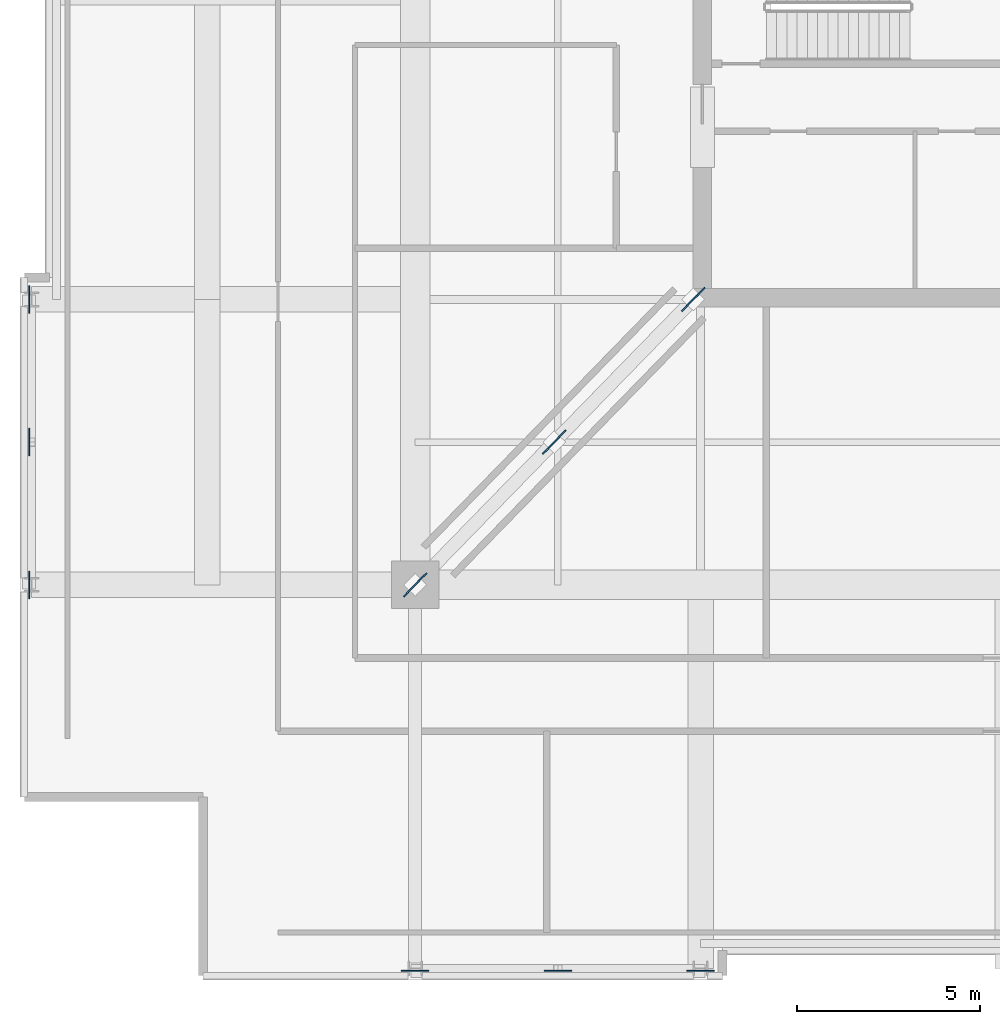
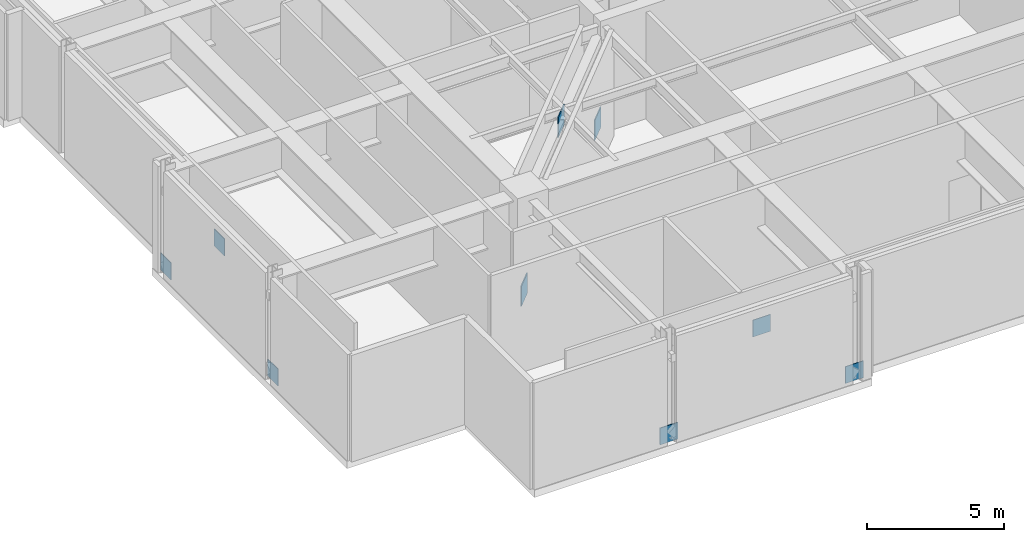
# One storey, part 3 of 13: 9 plates.
"""IFC4 building model written with IfcOpenShell, lengths in metres."""

from ifc_helpers import new_model, si_unit, direction, frame, origin, origin_2d, place, context, subcontext, project, spatial, rectangle, extrude, material, layer, layer_set, type_object, element, save


model = new_model("IFC4")

# Units and contexts
model_context = context("Model", 3, precision=1e-05, world=origin(), true_north=direction((0.0, 1.0)))
body_context = subcontext(model_context, "Body", "Model", "MODEL_VIEW")
ifc_project = project(units=[si_unit("LENGTHUNIT", "METRE"), si_unit("AREAUNIT", "SQUARE_METRE"), si_unit("VOLUMEUNIT", "CUBIC_METRE"), si_unit("PLANEANGLEUNIT", "RADIAN"), si_unit("MASSUNIT", "GRAM", prefix="KILO")], contexts=[model_context])

# Site, building, storey
site_placement = place(None, origin())
site = spatial("IfcSite", under=ifc_project, at=site_placement, CompositionType="ELEMENT")
building_placement = place(site_placement, origin())
building = spatial("IfcBuilding", under=site, at=building_placement, Name="Drelvath Grand Hotel", CompositionType="ELEMENT")
storey_placement = place(building_placement, frame((0.0, 0.0, 200.10009765625)))
storey = spatial("IfcBuildingStorey", under=building, at=storey_placement, Name="L52", CompositionType="ELEMENT", Elevation=200.10009765625)

# Plates
ifc_material = material(Name="Steel ASTM A572 Gr 50", Category="steel")
ifc_layer_1 = layer(ifc_material, 0.031982421875)
ifc_layer_set_1 = layer_set([ifc_layer_1], Name="Steel ASTM A572 Gr 50")
plate_type_1 = type_object("IfcPlateType", Name="Belt Truss Node Gusset Plate 32mm", PredefinedType="USERDEFINED", material=ifc_layer_set_1)
for number, where, z_axis, x_axis, name in (
    (1, (-26.75, 10.800048828125, -0.025146484375), (0.0, 0.0, 1.0), (0.0, 1.0, 0.0), "L52 Belt Truss Start Gusset BW-S"),
    (2, (-26.75, 14.699951171875, 3.40478515625), (0.0, 0.0, 1.0), (0.0, 1.0, 0.0), "L52 Belt Truss Apex Gusset BW-S"),
    (3, (-26.75, 18.60009765625, -0.025146484375), (0.0, 0.0, 1.0), (0.0, 1.0, 0.0), "L52 Belt Truss End Gusset BW-S"),
    (4, (-16.199951171875, 0.25, -0.025146484375), (0.0, 0.0, 1.0), (1.0, 0.0, 0.0), "L52 Belt Truss Start Gusset BS-W"),
    (5, (-12.300048828125, 0.25, 3.40478515625), (0.0, 0.0, 1.0), (1.0, 0.0, 0.0), "L52 Belt Truss Apex Gusset BS-W"),
    (6, (-8.39990234375, 0.25, -0.025146484375), (0.0, 0.0, 1.0), (1.0, 0.0, 0.0), "L52 Belt Truss End Gusset BS-W"),
):
    element("IfcPlate", number, at=place(storey_placement, frame(where, z_axis=z_axis, x_axis=x_axis)), inside=storey, type_object=plate_type_1, Name=name, ObjectType="GUSSET_PLATE", PredefinedType="USERDEFINED", context=body_context, shape_type="SweptSolid", body=[
        extrude(rectangle(XDim=0.75, YDim=0.031982421875, at=origin_2d()), origin(), (0.0, 0.0, 1.0), 0.75),
    ])
ifc_layer_2 = layer(ifc_material, 0.0400390625)
ifc_layer_set_2 = layer_set([ifc_layer_2], Name="Steel ASTM A572 Gr 50")
plate_type_2 = type_object("IfcPlateType", Name="Outrigger Node Gusset Plate 40mm", PredefinedType="USERDEFINED", material=ifc_layer_set_2)
for number, where, z_axis, x_axis, name in (
    (7, (-8.60009765625, 18.60009765625, -0.10009765625), (0.0, 0.0, 1.0), (-0.697864726909, -0.716229588146, 0.0), "L52 Outrigger Node Gusset SW-1"),
    (8, (-12.39990234375, 14.699951171875, 3.699951171875), (0.0, 0.0, 1.0), (-0.697864726909, -0.716229588146, 0.0), "L52 Outrigger Node Gusset SW-2"),
    (9, (-16.199951171875, 10.800048828125, -0.10009765625), (0.0, 0.0, 1.0), (-0.697864726909, -0.716229588146, 0.0), "L52 Outrigger Node Gusset SW-3"),
):
    element("IfcPlate", number, at=place(storey_placement, frame(where, z_axis=z_axis, x_axis=x_axis)), inside=storey, type_object=plate_type_2, Name=name, ObjectType="GUSSET_PLATE", PredefinedType="USERDEFINED", context=body_context, shape_type="SweptSolid", body=[
        extrude(rectangle(XDim=0.89990234375, YDim=0.0400390625, at=origin_2d()), origin(), (0.0, 0.0, 1.0), 0.89990234375),
    ])

save(model, "model.ifc")
